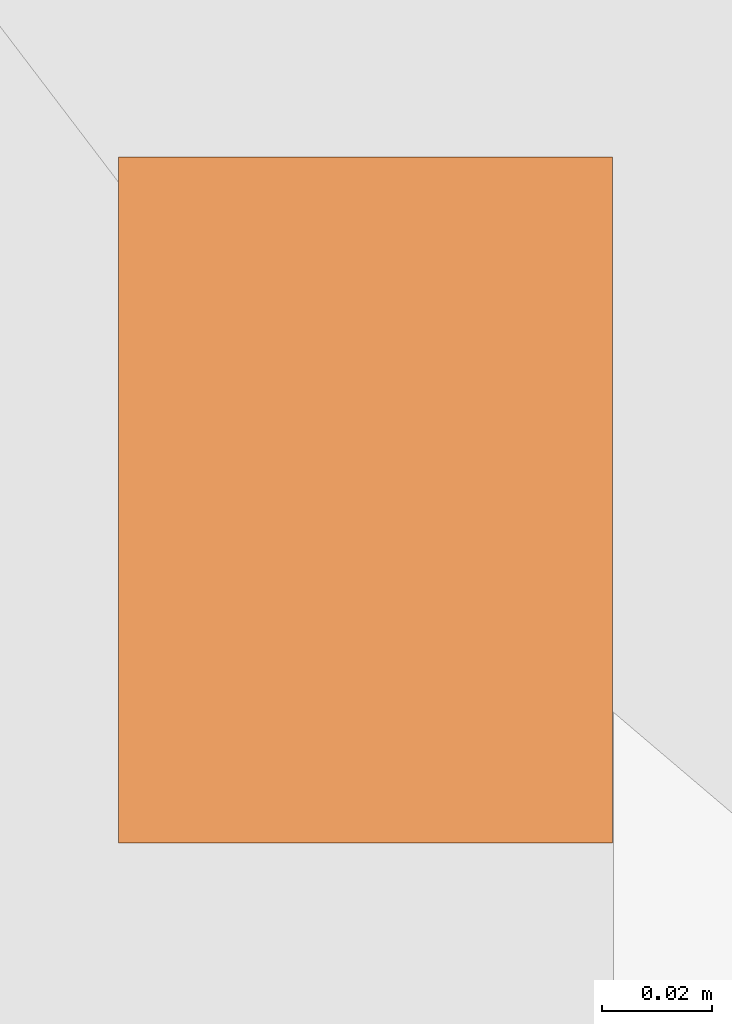
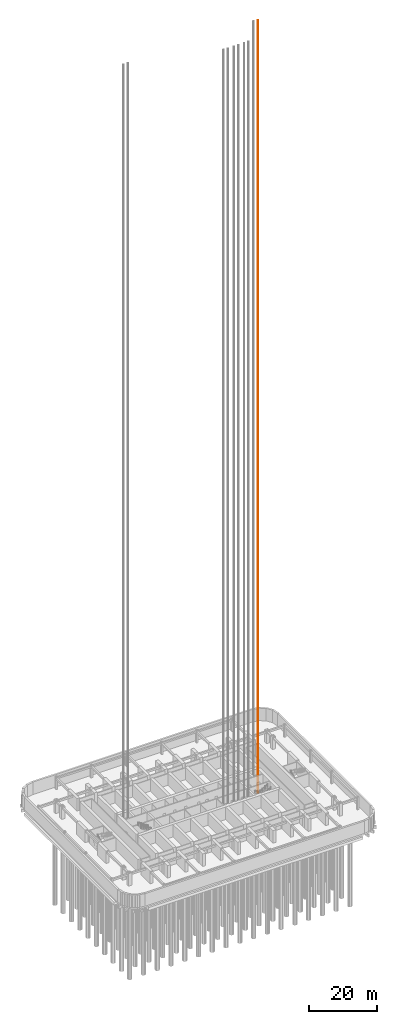
# One storey, part 28 of 28: 1 proxy.
"""IFC4 building model written with IfcOpenShell, lengths in metres."""

from ifc_helpers import new_model, si_unit, direction, frame, origin, origin_2d, place, context, subcontext, project, spatial, rectangle, extrude, material, element, save


model = new_model("IFC4")

# Units and contexts
model_context = context("Model", 3, precision=1e-05, world=origin(), true_north=direction((0.0, 1.0)))
body_context = subcontext(model_context, "Body", "Model", "MODEL_VIEW")
ifc_project = project(units=[si_unit("LENGTHUNIT", "METRE"), si_unit("AREAUNIT", "SQUARE_METRE"), si_unit("VOLUMEUNIT", "CUBIC_METRE"), si_unit("PLANEANGLEUNIT", "RADIAN"), si_unit("MASSUNIT", "GRAM", prefix="KILO")], contexts=[model_context])

# Site, building, storey
site_placement = place(None, origin())
site = spatial("IfcSite", under=ifc_project, at=site_placement, CompositionType="ELEMENT")
building_placement = place(site_placement, origin())
building = spatial("IfcBuilding", under=site, at=building_placement, Name="Orbita Commons", CompositionType="ELEMENT")
storey_placement = place(building_placement, frame((0.0, 0.0, -9.0)))
storey = spatial("IfcBuildingStorey", under=building, at=storey_placement, Name="L-02", CompositionType="ELEMENT", Elevation=-9.0)

# Proxy
ifc_material = material(Name="Machined steel guide rail", Category="steel")
placement = place(storey_placement, frame((64.199951171875, 36.39990234375, 0.0), z_axis=(0.0, 0.0, 1.0), x_axis=(1.0, 0.0, 0.0)))
proxy_placement = place(placement, frame((0.7548828125, 0.0, -3.199951171875)))
element("IfcBuildingElementProxy", 1, at=proxy_placement, inside=storey, material=ifc_material, Name="FL2 guide rail 2", ObjectType="GUIDE RAIL", PredefinedType="USERDEFINED", context=body_context, shape_type="SweptSolid", body=[
    extrude(rectangle(XDim=0.09, YDim=0.125, at=origin_2d()), origin(), (0.0, 0.0, 1.0), 279.0),
])

save(model, "model.ifc")
